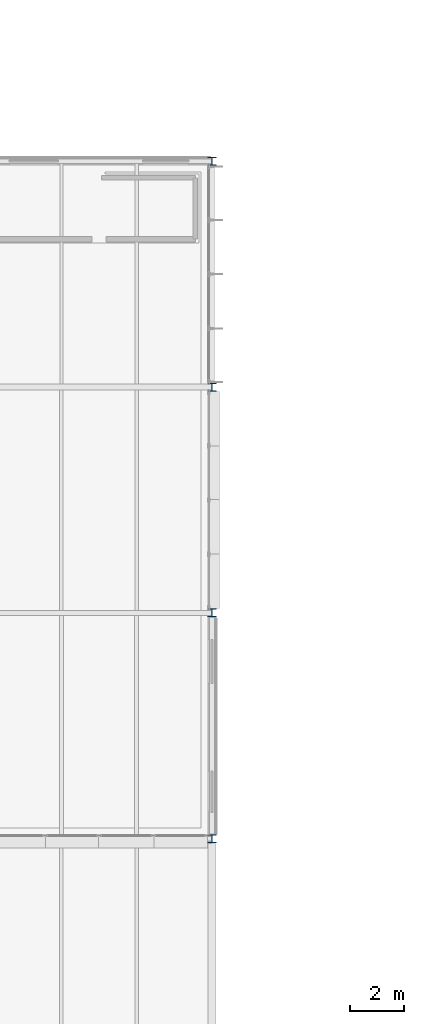
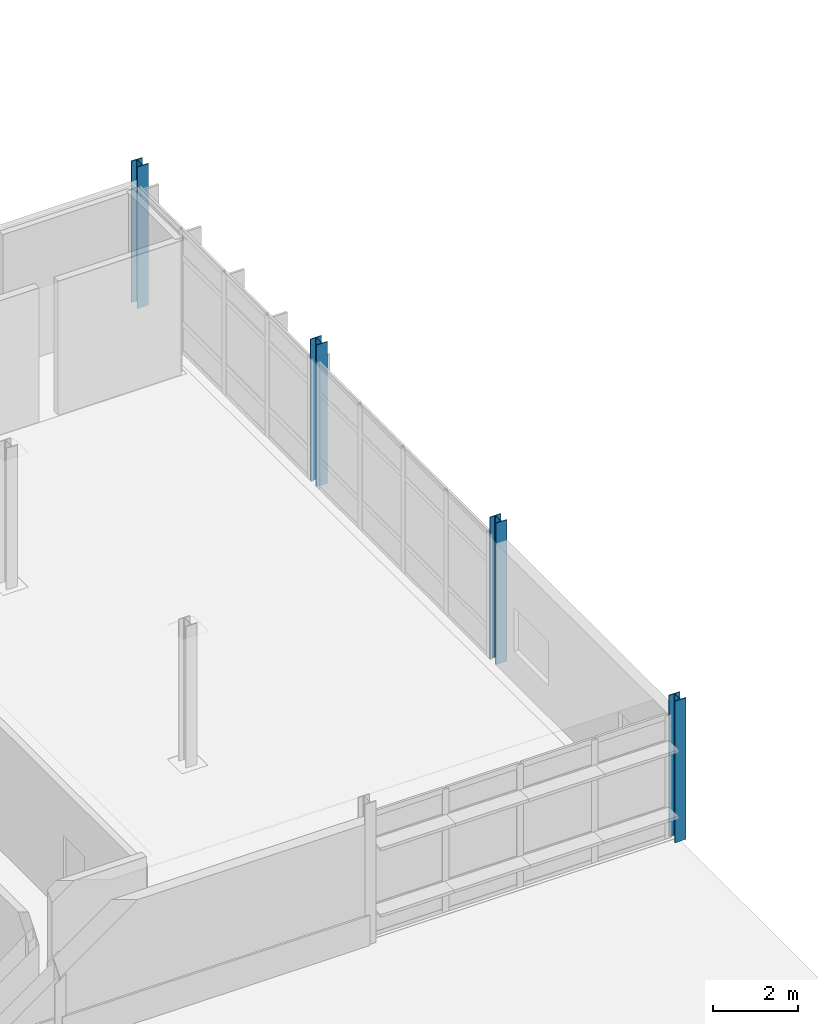
# One storey, part 11 of 151: 4 columns.
"""IFC4 building model written with IfcOpenShell, lengths in metres."""

from ifc_helpers import new_model, si_unit, direction, frame, origin, origin_2d, place, context, subcontext, project, spatial, i_section, extrude, material, material_profile, profile_set, type_object, element, save


model = new_model("IFC4")

# Units and contexts
model_context = context("Model", 3, precision=1e-05, world=origin(), true_north=direction((0.0, 1.0)))
body_context = subcontext(model_context, "Body", "Model", "MODEL_VIEW")
ifc_project = project(units=[si_unit("LENGTHUNIT", "METRE"), si_unit("AREAUNIT", "SQUARE_METRE"), si_unit("VOLUMEUNIT", "CUBIC_METRE"), si_unit("PLANEANGLEUNIT", "RADIAN"), si_unit("MASSUNIT", "GRAM", prefix="KILO")], contexts=[model_context])

# Site, building, storey
site_placement = place(None, origin())
site = spatial("IfcSite", under=ifc_project, at=site_placement, CompositionType="ELEMENT")
building_placement = place(site_placement, origin())
building = spatial("IfcBuilding", under=site, at=building_placement, Name="Mersafa Astral City Hall", CompositionType="ELEMENT")
storey_placement = place(building_placement, frame((0.0, 0.0, 9.89990234375)))
storey = spatial("IfcBuildingStorey", under=building, at=storey_placement, Name="L02", CompositionType="ELEMENT", Elevation=9.89990234375)

# Columns
ifc_material = material(Name="Steel S355", Category="steel")
ifc_material_profile = material_profile(ifc_material, i_section(OverallWidth=0.300048828125, OverallDepth=0.300048828125, WebThickness=0.010986328125, FlangeThickness=0.01904296875, FilletRadius=0.027099609375, at=origin_2d()), Name="HEB 300")
ifc_profile_set = profile_set([ifc_material_profile], Name="Steel S355")
column_type = type_object("IfcColumnType", Name="STR-COL-HEB300", PredefinedType="COLUMN", material=ifc_profile_set)
for number, where, z_axis, x_axis, name in (
    (1, (142.800048828125, 8.39990234375, 0.0), (0.0, 0.0, 1.0), (1.0, 0.0, 0.0), "L02 Structural column G-17-01"),
    (2, (142.800048828125, 16.800048828125, 0.0), (0.0, 0.0, 1.0), (1.0, 0.0, 0.0), "L02 Structural column G-17-02"),
    (3, (142.800048828125, 25.199951171875, 0.0), (0.0, 0.0, 1.0), (1.0, 0.0, 0.0), "L02 Structural column G-17-03"),
    (4, (142.800048828125, 33.60009765625, 0.0), (0.0, 0.0, 1.0), (1.0, 0.0, 0.0), "L02 Structural column G-17-04"),
):
    element("IfcColumn", number, at=place(storey_placement, frame(where, z_axis=z_axis, x_axis=x_axis)), inside=storey, type_object=column_type, Name=name, PredefinedType="COLUMN", context=body_context, shape_type="SweptSolid", body=[
        extrude(i_section(OverallWidth=0.300048828125, OverallDepth=0.300048828125, WebThickness=0.010986328125, FlangeThickness=0.01904296875, FilletRadius=0.027099609375, at=origin_2d()), origin(), (0.0, 0.0, 1.0), 4.050048828125),
    ])

save(model, "model.ifc")
